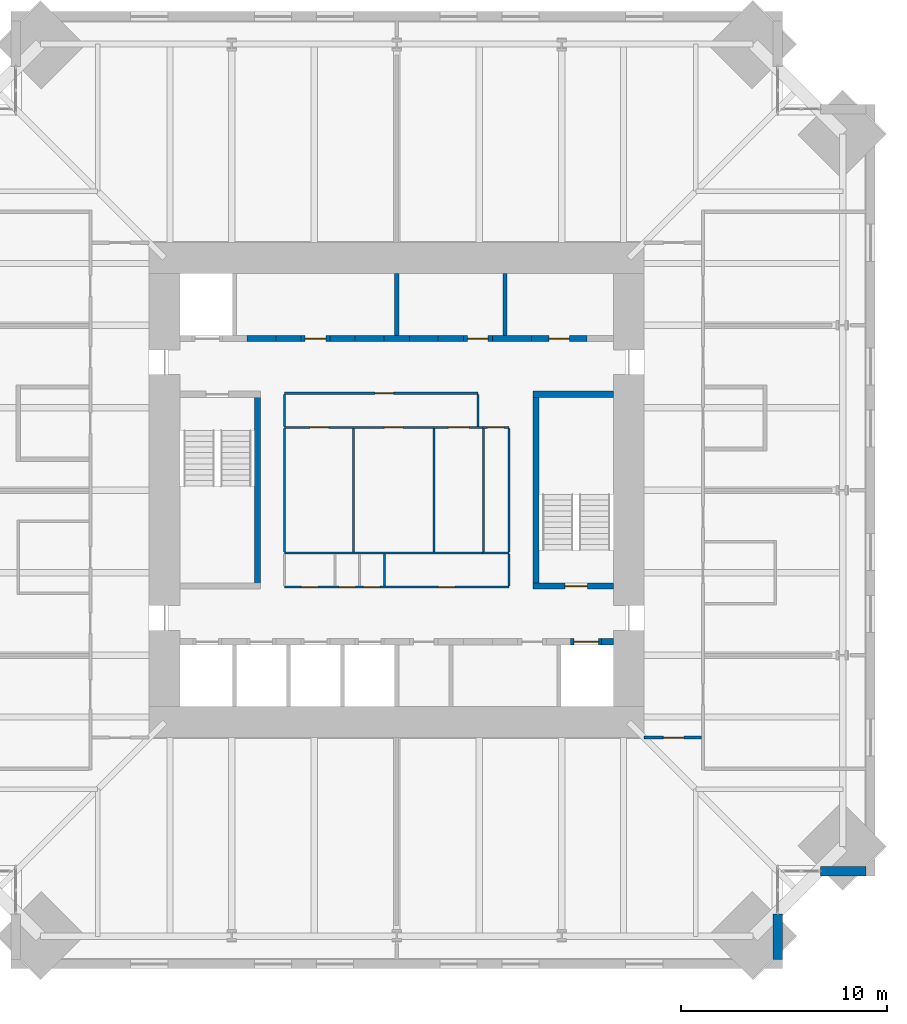
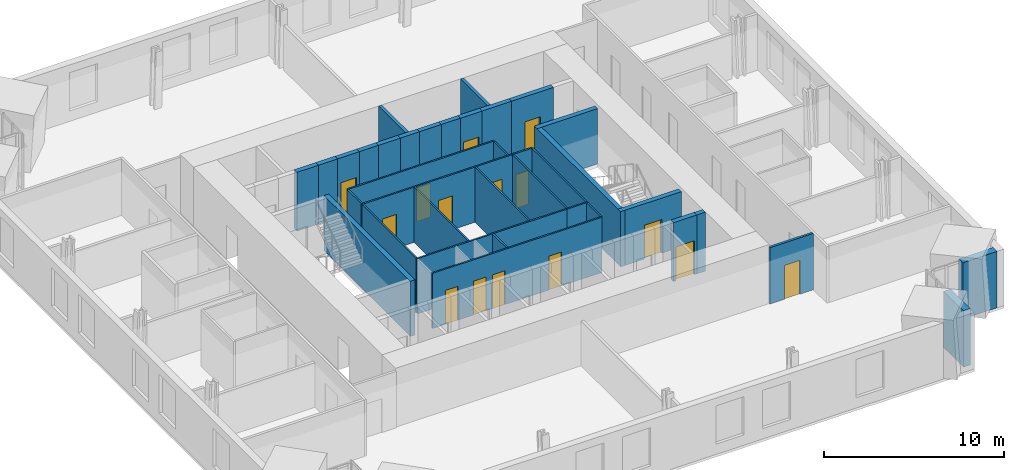
# One storey, part 12 of 15: 37 walls, 15 doors, 15 openings.
"""IFC4 building model written with IfcOpenShell, lengths in metres."""

from ifc_helpers import new_model, si_unit, direction, frame, frame_2d, origin, place, context, subcontext, project, spatial, rectangle, extrude, material, layer, layer_set, type_object, element, fill, save


model = new_model("IFC4")

# Units and contexts
model_context = context("Model", 3, precision=1e-05, world=origin(), true_north=direction((0.0, 1.0)))
body_context = subcontext(model_context, "Body", "Model", "MODEL_VIEW")
ifc_project = project(units=[si_unit("LENGTHUNIT", "METRE"), si_unit("AREAUNIT", "SQUARE_METRE"), si_unit("VOLUMEUNIT", "CUBIC_METRE"), si_unit("PLANEANGLEUNIT", "RADIAN"), si_unit("MASSUNIT", "GRAM", prefix="KILO")], contexts=[model_context])

# Site, building, storey
site_placement = place(None, origin())
site = spatial("IfcSite", under=ifc_project, at=site_placement, CompositionType="ELEMENT")
building_placement = place(site_placement, origin())
building = spatial("IfcBuilding", under=site, at=building_placement, Name="Peilmerk Tower", CompositionType="ELEMENT")
storey_placement = place(building_placement, frame((0.0, 0.0, 229.800048828125)))
storey = spatial("IfcBuildingStorey", under=building, at=storey_placement, Name="L50", CompositionType="ELEMENT", Elevation=229.800048828125)

# Walls
ifc_material_1 = material(Name="Precast concrete C45/55, board-marked finish", Category="concrete")
ifc_layer_1 = layer(ifc_material_1, 0.449951171875)
ifc_layer_set_1 = layer_set([ifc_layer_1], Name="Precast concrete C45/55, board-marked finish")
wall_type_1 = type_object("IfcWallType", Name="EW1 450 precast concrete facade wall, board-marked", PredefinedType="SOLIDWALL", material=ifc_layer_set_1)
for number, where, z_axis, x_axis, name in (
    (1, (18.47509765625, -20.5537109375, 0.0), (0.0, 0.0, 1.0), (0.0, -1.0, 0.0), "Facade wall SEA L50"),
    (2, (20.5537109375, -18.47509765625, 0.0), (0.0, 0.0, 1.0), (1.0, 0.0, 0.0), "Facade wall SEB L50"),
):
    element("IfcWall", number, at=place(storey_placement, frame(where, z_axis=z_axis, x_axis=x_axis)), inside=storey, type_object=wall_type_1, Name=name, PredefinedType="SOLIDWALL", context=body_context, shape_type="SweptSolid", body=[
        extrude(rectangle(XDim=2.1962890625, YDim=0.449951171875, at=frame_2d((1.09814453125, 0.0))), origin(), (0.0, 0.0, 1.0), 3.829833984375),
    ])

# Wall, opening, door
ifc_material_2 = material(Name="Calcium silicate block", Category="masonry")
ifc_layer_2 = layer(ifc_material_2, 0.14990234375)
ifc_layer_set_2 = layer_set([ifc_layer_2], Name="Calcium silicate block")
wall_type_2 = type_object("IfcWallType", Name="IW1 150 corridor partition, EI 60", PredefinedType="PARTITIONING", material=ifc_layer_set_2)
wall_1_placement = place(storey_placement, frame((14.77490234375, -12.0, 0.0), z_axis=(0.0, 0.0, 1.0), x_axis=(-1.0, 0.0, 0.0)))
wall_1 = element("IfcWall", 3, at=wall_1_placement, inside=storey, type_object=wall_type_2, Name="Corridor wall SE L50", PredefinedType="PARTITIONING", context=body_context, shape_type="SweptSolid", body=[
    extrude(rectangle(XDim=2.77490234375, YDim=0.14990234375, at=frame_2d((1.387451171875, 0.0))), origin(), (0.0, 0.0, 1.0), 3.829833984375),
])
opening_1_placement = place(wall_1_placement, frame((0.85009765625, 0.0, 0.0)))
opening_1 = element("IfcOpeningElement", 4, at=opening_1_placement, cuts=wall_1, Name="Opening D1", PredefinedType="OPENING", context=body_context, shape_type="SweptSolid", body=[
    extrude(rectangle(XDim=1.0, YDim=2.300048828125, at=frame_2d((0.5, 1.14990234375))), frame((0.0, 0.0849609375, 0.0), z_axis=(0.0, -1.0, 0.0), x_axis=(1.0, 0.0, 0.0)), (0.0, 0.0, 1.0), 0.169921875),
])
ifc_material_3 = material(Name="Timber door in steel frame", Category="steel")
door_type_1 = type_object("IfcDoorType", Name="D1 1000x2300 room door, EI2 30", OperationType="SINGLE_SWING_LEFT", PredefinedType="DOOR", material=ifc_material_3)
door_1_placement = place(opening_1_placement, origin())
door_1 = element("IfcDoor", 5, at=door_1_placement, inside=storey, type_object=door_type_1, Name="Door Office L50", OperationType="SINGLE_SWING_LEFT", OverallHeight=2.300048828125, OverallWidth=1.0, PredefinedType="DOOR", context=body_context, shape_type="SweptSolid", body=[
    extrude(rectangle(XDim=1.0, YDim=2.300048828125, at=frame_2d((0.5, 1.14990234375))), frame((0.0, 0.02490234375, 0.0), z_axis=(0.0, -1.0, 0.0), x_axis=(1.0, 0.0, 0.0)), (0.0, 0.0, 1.0), 0.050048828125),
])
fill(opening_1, door_1)

# Walls
ifc_material_4 = material(Name="Concrete C35/45", Category="concrete")
ifc_layer_3 = layer(ifc_material_4, 0.300048828125)
ifc_layer_set_3 = layer_set([ifc_layer_3], Name="Concrete C35/45")
wall_type_3 = type_object("IfcWallType", Name="IW3 300 concrete stair enclosure wall, EI 120", PredefinedType="SOLIDWALL", material=ifc_layer_set_3)
for number, where, z_axis, x_axis, name in (
    (6, (-6.75, -4.800048828125, 0.0), (0.0, 0.0, 1.0), (0.0, 1.0, 0.0), "Stair 1 enclosure L50"),
    (7, (6.75, -4.800048828125, 0.0), (0.0, 0.0, 1.0), (0.0, 1.0, 0.0), "Stair 2 enclosure L50"),
):
    element("IfcWall", number, at=place(storey_placement, frame(where, z_axis=z_axis, x_axis=x_axis)), inside=storey, type_object=wall_type_3, Name=name, PredefinedType="SOLIDWALL", context=body_context, shape_type="SweptSolid", body=[
        extrude(rectangle(XDim=9.60009765625, YDim=0.300048828125, at=frame_2d((4.800048828125, 0.0))), origin(), (0.0, 0.0, 1.0), 3.75),
    ])
wall_2_placement = place(storey_placement, frame((6.60009765625, 4.64990234375, 0.0), z_axis=(0.0, 0.0, 1.0), x_axis=(1.0, 0.0, 0.0)))
element("IfcWall", 8, at=wall_2_placement, inside=storey, type_object=wall_type_3, Name="Stair 2 enclosure L50", PredefinedType="SOLIDWALL", context=body_context, shape_type="SweptSolid", body=[
    extrude(rectangle(XDim=3.89990234375, YDim=0.300048828125, at=frame_2d((1.949951171875, 0.0))), origin(), (0.0, 0.0, 1.0), 3.75),
])

# Wall, opening, door
wall_3_placement = place(storey_placement, frame((10.5, -4.64990234375, 0.0), z_axis=(0.0, 0.0, 1.0), x_axis=(-1.0, 0.0, 0.0)))
wall_3 = element("IfcWall", 9, at=wall_3_placement, inside=storey, type_object=wall_type_3, Name="Stair 2 enclosure L50", PredefinedType="SOLIDWALL", context=body_context, shape_type="SweptSolid", body=[
    extrude(rectangle(XDim=3.89990234375, YDim=0.300048828125, at=frame_2d((1.949951171875, 0.0))), origin(), (0.0, 0.0, 1.0), 3.75),
])
opening_2_placement = place(wall_3_placement, frame((1.25, 0.0, 0.0)))
opening_2 = element("IfcOpeningElement", 10, at=opening_2_placement, cuts=wall_3, Name="Opening D4", PredefinedType="OPENING", context=body_context, shape_type="SweptSolid", body=[
    extrude(rectangle(XDim=1.10009765625, YDim=2.300048828125, at=frame_2d((0.550048828125, 1.14990234375))), frame((0.0, 0.159912109375, 0.0), z_axis=(0.0, -1.0, 0.0), x_axis=(1.0, 0.0, 0.0)), (0.0, 0.0, 1.0), 0.320068359375),
])
ifc_material_5 = material(Name="Steel door in steel frame", Category="steel")
door_type_2 = type_object("IfcDoorType", Name="D4 1100x2300 stair door, EI2 60", OperationType="SINGLE_SWING_RIGHT", PredefinedType="DOOR", material=ifc_material_5)
door_2_placement = place(opening_2_placement, frame((1.10009765625, 0.0, 0.0), z_axis=(0.0, 0.0, 1.0), x_axis=(-1.0, 0.0, 0.0)))
door_2 = element("IfcDoor", 11, at=door_2_placement, inside=storey, type_object=door_type_2, Name="Stair 2 door L50", OperationType="SINGLE_SWING_RIGHT", OverallHeight=2.300048828125, OverallWidth=1.10009765625, PredefinedType="DOOR", context=body_context, shape_type="SweptSolid", body=[
    extrude(rectangle(XDim=1.10009765625, YDim=2.300048828125, at=frame_2d((0.550048828125, 1.14990234375))), frame((0.0, 0.02490234375, 0.0), z_axis=(0.0, -1.0, 0.0), x_axis=(1.0, 0.0, 0.0)), (0.0, 0.0, 1.0), 0.050048828125),
])
fill(opening_2, door_2)

# Wall, openings, doors
ifc_material_6 = material(Name="Plasterboard on steel studs", Category="steel")
ifc_layer_4 = layer(ifc_material_6, 0.10009765625)
ifc_layer_set_4 = layer_set([ifc_layer_4], Name="Plasterboard on steel studs")
wall_type_4 = type_object("IfcWallType", Name="IW4 100 WC partition", PredefinedType="PARTITIONING", material=ifc_layer_set_4)
wall_4_placement = place(storey_placement, frame((-5.449951171875, 3.050048828125, 0.0), z_axis=(0.0, 0.0, 1.0), x_axis=(1.0, 0.0, 0.0)))
wall_4 = element("IfcWall", 12, at=wall_4_placement, inside=storey, type_object=wall_type_4, Name="WC wall L50", PredefinedType="PARTITIONING", context=body_context, shape_type="SweptSolid", body=[
    extrude(rectangle(XDim=9.599853515625, YDim=0.10009765625, at=frame_2d((4.7998046875, 0.0))), origin(), (0.0, 0.0, 1.0), 3.75),
])
opening_3_placement = place(wall_4_placement, frame((1.25, 0.0, 0.0)))
opening_3 = element("IfcOpeningElement", 13, at=opening_3_placement, cuts=wall_4, Name="Opening D5", PredefinedType="OPENING", context=body_context, shape_type="SweptSolid", body=[
    extrude(rectangle(XDim=0.89990234375, YDim=2.300048828125, at=frame_2d((0.449951171875, 1.14990234375))), frame((0.0, 0.06005859375, 0.0), z_axis=(0.0, -1.0, 0.0), x_axis=(1.0, 0.0, 0.0)), (0.0, 0.0, 1.0), 0.1201171875),
])
opening_4_placement = place(wall_4_placement, frame((4.85009765625, 0.0, 0.0)))
opening_4 = element("IfcOpeningElement", 14, at=opening_4_placement, cuts=wall_4, Name="Opening D5", PredefinedType="OPENING", context=body_context, shape_type="SweptSolid", body=[
    extrude(rectangle(XDim=0.89990234375, YDim=2.300048828125, at=frame_2d((0.449951171875, 1.14990234375))), frame((0.0, 0.06005859375, 0.0), z_axis=(0.0, -1.0, 0.0), x_axis=(1.0, 0.0, 0.0)), (0.0, 0.0, 1.0), 0.1201171875),
])
opening_5_placement = place(wall_4_placement, frame((7.949951171875, 0.0, 0.0)))
opening_5 = element("IfcOpeningElement", 15, at=opening_5_placement, cuts=wall_4, Name="Opening D6", PredefinedType="OPENING", context=body_context, shape_type="SweptSolid", body=[
    extrude(rectangle(XDim=1.0, YDim=2.300048828125, at=frame_2d((0.5, 1.14990234375))), frame((0.0, 0.06005859375, 0.0), z_axis=(0.0, -1.0, 0.0), x_axis=(1.0, 0.0, 0.0)), (0.0, 0.0, 1.0), 0.1201171875),
])
door_type_3 = type_object("IfcDoorType", Name="D5 900x2300 WC door", OperationType="SINGLE_SWING_LEFT", PredefinedType="DOOR", material=ifc_material_3)
door_3_placement = place(opening_3_placement, frame((0.89990234375, 0.0, 0.0), z_axis=(0.0, 0.0, 1.0), x_axis=(-1.0, 0.0, 0.0)))
door_3 = element("IfcDoor", 16, at=door_3_placement, inside=storey, type_object=door_type_3, Name="Female toilets door L50", OperationType="SINGLE_SWING_LEFT", OverallHeight=2.300048828125, OverallWidth=0.89990234375, PredefinedType="DOOR", context=body_context, shape_type="SweptSolid", body=[
    extrude(rectangle(XDim=0.89990234375, YDim=2.300048828125, at=frame_2d((0.449951171875, 1.14990234375))), frame((0.0, 0.02490234375, 0.0), z_axis=(0.0, -1.0, 0.0), x_axis=(1.0, 0.0, 0.0)), (0.0, 0.0, 1.0), 0.050048828125),
])
fill(opening_3, door_3)
door_4_placement = place(opening_4_placement, frame((0.89990234375, 0.0, 0.0), z_axis=(0.0, 0.0, 1.0), x_axis=(-1.0, 0.0, 0.0)))
door_4 = element("IfcDoor", 17, at=door_4_placement, inside=storey, type_object=door_type_3, Name="Male toilets door L50", OperationType="SINGLE_SWING_LEFT", OverallHeight=2.300048828125, OverallWidth=0.89990234375, PredefinedType="DOOR", context=body_context, shape_type="SweptSolid", body=[
    extrude(rectangle(XDim=0.89990234375, YDim=2.300048828125, at=frame_2d((0.449951171875, 1.14990234375))), frame((0.0, 0.02490234375, 0.0), z_axis=(0.0, -1.0, 0.0), x_axis=(1.0, 0.0, 0.0)), (0.0, 0.0, 1.0), 0.050048828125),
])
fill(opening_4, door_4)
door_type_4 = type_object("IfcDoorType", Name="D6 1000x2300 accessible WC door", OperationType="SLIDING_TO_LEFT", PredefinedType="DOOR", material=ifc_material_3)
door_5_placement = place(opening_5_placement, frame((1.0, 0.0, 0.0), z_axis=(0.0, 0.0, 1.0), x_axis=(-1.0, 0.0, 0.0)))
door_5 = element("IfcDoor", 18, at=door_5_placement, inside=storey, type_object=door_type_4, Name="Accessible WC door L50", OperationType="SLIDING_TO_LEFT", OverallHeight=2.300048828125, OverallWidth=1.0, PredefinedType="DOOR", context=body_context, shape_type="SweptSolid", body=[
    extrude(rectangle(XDim=1.0, YDim=2.300048828125, at=frame_2d((0.5, 1.14990234375))), frame((0.0, 0.02490234375, 0.0), z_axis=(0.0, -1.0, 0.0), x_axis=(1.0, 0.0, 0.0)), (0.0, 0.0, 1.0), 0.050048828125),
])
fill(opening_5, door_5)

# Walls
wall_5_placement = place(storey_placement, frame((4.14990234375, -3.050048828125, 0.0), z_axis=(0.0, 0.0, 1.0), x_axis=(-1.0, 0.0, 0.0)))
element("IfcWall", 19, at=wall_5_placement, inside=storey, type_object=wall_type_4, Name="WC wall L50", PredefinedType="PARTITIONING", context=body_context, shape_type="SweptSolid", body=[
    extrude(rectangle(XDim=9.599853515625, YDim=0.10009765625, at=frame_2d((4.7998046875, 0.0))), origin(), (0.0, 0.0, 1.0), 3.75),
])
for number, where, z_axis, x_axis, name in (
    (20, (-5.449951171875, -3.0, 0.0), (0.0, 0.0, 1.0), (0.0, 1.0, 0.0), "WC wall L50"),
    (21, (-2.10009765625, -3.0, 0.0), (0.0, 0.0, 1.0), (0.0, 1.0, 0.0), "WC wall L50"),
    (22, (1.800048828125, -3.0, 0.0), (0.0, 0.0, 1.0), (0.0, 1.0, 0.0), "WC wall L50"),
):
    element("IfcWall", number, at=place(storey_placement, frame(where, z_axis=z_axis, x_axis=x_axis)), inside=storey, type_object=wall_type_4, Name=name, PredefinedType="PARTITIONING", context=body_context, shape_type="SweptSolid", body=[
        extrude(rectangle(XDim=6.0, YDim=0.10009765625, at=frame_2d((3.0, 0.0))), origin(), (0.0, 0.0, 1.0), 3.75),
    ])

# Wall, opening, door
ifc_material_7 = material(Name="Calcium silicate board on steel studs", Category="steel")
ifc_layer_5 = layer(ifc_material_7, 0.10009765625)
ifc_layer_set_5 = layer_set([ifc_layer_5], Name="Calcium silicate board on steel studs")
wall_type_5 = type_object("IfcWallType", Name="IW5 100 riser enclosure wall, EI 60", PredefinedType="PARTITIONING", material=ifc_layer_set_5)
wall_6_placement = place(storey_placement, frame((4.14990234375, 3.050048828125, 0.0), z_axis=(0.0, 0.0, 1.0), x_axis=(1.0, 0.0, 0.0)))
wall_6 = element("IfcWall", 23, at=wall_6_placement, inside=storey, type_object=wall_type_5, Name="Riser wall L50", PredefinedType="PARTITIONING", context=body_context, shape_type="SweptSolid", body=[
    extrude(rectangle(XDim=1.300048828125, YDim=0.10009765625, at=frame_2d((0.64990234375, 0.0))), origin(), (0.0, 0.0, 1.0), 3.75),
])
opening_6_placement = place(wall_6_placement, frame((0.25, 0.0, 0.0)))
opening_6 = element("IfcOpeningElement", 24, at=opening_6_placement, cuts=wall_6, Name="Opening D7", PredefinedType="OPENING", context=body_context, shape_type="SweptSolid", body=[
    extrude(rectangle(XDim=0.800048828125, YDim=2.300048828125, at=frame_2d((0.39990234375, 1.14990234375))), frame((0.0, 0.06005859375, 0.0), z_axis=(0.0, -1.0, 0.0), x_axis=(1.0, 0.0, 0.0)), (0.0, 0.0, 1.0), 0.1201171875),
])
door_type_5 = type_object("IfcDoorType", Name="D7 800x2300 riser access door, EI2 60", OperationType="SINGLE_SWING_RIGHT", PredefinedType="DOOR", material=ifc_material_5)
door_6_placement = place(opening_6_placement, frame((0.800048828125, 0.0, 0.0), z_axis=(0.0, 0.0, 1.0), x_axis=(-1.0, 0.0, 0.0)))
door_6 = element("IfcDoor", 25, at=door_6_placement, inside=storey, type_object=door_type_5, Name="Plumbing riser door L50", OperationType="SINGLE_SWING_RIGHT", OverallHeight=2.300048828125, OverallWidth=0.800048828125, PredefinedType="DOOR", context=body_context, shape_type="SweptSolid", body=[
    extrude(rectangle(XDim=0.800048828125, YDim=2.300048828125, at=frame_2d((0.39990234375, 1.14990234375))), frame((0.0, 0.02490234375, 0.0), z_axis=(0.0, -1.0, 0.0), x_axis=(1.0, 0.0, 0.0)), (0.0, 0.0, 1.0), 0.050048828125),
])
fill(opening_6, door_6)

# Walls
wall_7_placement = place(storey_placement, frame((5.449951171875, -3.050048828125, 0.0), z_axis=(0.0, 0.0, 1.0), x_axis=(-1.0, 0.0, 0.0)))
element("IfcWall", 26, at=wall_7_placement, inside=storey, type_object=wall_type_5, Name="Riser wall L50", PredefinedType="PARTITIONING", context=body_context, shape_type="SweptSolid", body=[
    extrude(rectangle(XDim=1.300048828125, YDim=0.10009765625, at=frame_2d((0.64990234375, 0.0))), origin(), (0.0, 0.0, 1.0), 3.75),
])
for number, where, z_axis, x_axis, name in (
    (27, (5.449951171875, 3.0, 0.0), (0.0, 0.0, 1.0), (0.0, -1.0, 0.0), "Riser wall L50"),
    (28, (4.199951171875, -3.0, 0.0), (0.0, 0.0, 1.0), (0.0, 1.0, 0.0), "Riser wall L50"),
):
    element("IfcWall", number, at=place(storey_placement, frame(where, z_axis=z_axis, x_axis=x_axis)), inside=storey, type_object=wall_type_5, Name=name, PredefinedType="PARTITIONING", context=body_context, shape_type="SweptSolid", body=[
        extrude(rectangle(XDim=6.0, YDim=0.10009765625, at=frame_2d((3.0, 0.0))), origin(), (0.0, 0.0, 1.0), 3.75),
    ])

# Wall, openings, doors
wall_8_placement = place(storey_placement, frame((5.449951171875, -4.699951171875, 0.0), z_axis=(0.0, 0.0, 1.0), x_axis=(-1.0, 0.0, 0.0)))
wall_8 = element("IfcWall", 29, at=wall_8_placement, inside=storey, type_object=wall_type_5, Name="Riser wall L50", PredefinedType="PARTITIONING", context=body_context, shape_type="SweptSolid", body=[
    extrude(rectangle(XDim=10.89990234375, YDim=0.10009765625, at=frame_2d((5.449951171875, 0.0))), origin(), (0.0, 0.0, 1.0), 3.75),
])
opening_7_placement = place(wall_8_placement, frame((9.27490234375, 0.0, 0.0)))
opening_7 = element("IfcOpeningElement", 30, at=opening_7_placement, cuts=wall_8, Name="Opening D7", PredefinedType="OPENING", context=body_context, shape_type="SweptSolid", body=[
    extrude(rectangle(XDim=0.800048828125, YDim=2.300048828125, at=frame_2d((0.39990234375, 1.14990234375))), frame((0.0, 0.06005859375, 0.0), z_axis=(0.0, -1.0, 0.0), x_axis=(1.0, 0.0, 0.0)), (0.0, 0.0, 1.0), 0.1201171875),
])
opening_8_placement = place(wall_8_placement, frame((7.449951171875, 0.0, 0.0)))
opening_8 = element("IfcOpeningElement", 31, at=opening_8_placement, cuts=wall_8, Name="Opening D7", PredefinedType="OPENING", context=body_context, shape_type="SweptSolid", body=[
    extrude(rectangle(XDim=0.800048828125, YDim=2.300048828125, at=frame_2d((0.39990234375, 1.14990234375))), frame((0.0, 0.06005859375, 0.0), z_axis=(0.0, -1.0, 0.0), x_axis=(1.0, 0.0, 0.0)), (0.0, 0.0, 1.0), 0.1201171875),
])
opening_9_placement = place(wall_8_placement, frame((6.25, 0.0, 0.0)))
opening_9 = element("IfcOpeningElement", 32, at=opening_9_placement, cuts=wall_8, Name="Opening D7", PredefinedType="OPENING", context=body_context, shape_type="SweptSolid", body=[
    extrude(rectangle(XDim=0.800048828125, YDim=2.300048828125, at=frame_2d((0.39990234375, 1.14990234375))), frame((0.0, 0.06005859375, 0.0), z_axis=(0.0, -1.0, 0.0), x_axis=(1.0, 0.0, 0.0)), (0.0, 0.0, 1.0), 0.1201171875),
])
opening_10_placement = place(wall_8_placement, frame((2.625, 0.0, 0.0)))
opening_10 = element("IfcOpeningElement", 33, at=opening_10_placement, cuts=wall_8, Name="Opening D7", PredefinedType="OPENING", context=body_context, shape_type="SweptSolid", body=[
    extrude(rectangle(XDim=0.800048828125, YDim=2.300048828125, at=frame_2d((0.39990234375, 1.14990234375))), frame((0.0, 0.06005859375, 0.0), z_axis=(0.0, -1.0, 0.0), x_axis=(1.0, 0.0, 0.0)), (0.0, 0.0, 1.0), 0.1201171875),
])
door_7_placement = place(opening_7_placement, frame((0.800048828125, 0.0, 0.0), z_axis=(0.0, 0.0, 1.0), x_axis=(-1.0, 0.0, 0.0)))
door_7 = element("IfcDoor", 34, at=door_7_placement, inside=storey, type_object=door_type_5, Name="Cleaner's cupboard door L50", OperationType="SINGLE_SWING_RIGHT", OverallHeight=2.300048828125, OverallWidth=0.800048828125, PredefinedType="DOOR", context=body_context, shape_type="SweptSolid", body=[
    extrude(rectangle(XDim=0.800048828125, YDim=2.300048828125, at=frame_2d((0.39990234375, 1.14990234375))), frame((0.0, 0.02490234375, 0.0), z_axis=(0.0, -1.0, 0.0), x_axis=(1.0, 0.0, 0.0)), (0.0, 0.0, 1.0), 0.050048828125),
])
fill(opening_7, door_7)
door_8_placement = place(opening_8_placement, frame((0.800048828125, 0.0, 0.0), z_axis=(0.0, 0.0, 1.0), x_axis=(-1.0, 0.0, 0.0)))
door_8 = element("IfcDoor", 35, at=door_8_placement, inside=storey, type_object=door_type_5, Name="Electrical riser door L50", OperationType="SINGLE_SWING_RIGHT", OverallHeight=2.300048828125, OverallWidth=0.800048828125, PredefinedType="DOOR", context=body_context, shape_type="SweptSolid", body=[
    extrude(rectangle(XDim=0.800048828125, YDim=2.300048828125, at=frame_2d((0.39990234375, 1.14990234375))), frame((0.0, 0.02490234375, 0.0), z_axis=(0.0, -1.0, 0.0), x_axis=(1.0, 0.0, 0.0)), (0.0, 0.0, 1.0), 0.050048828125),
])
fill(opening_8, door_8)
door_9_placement = place(opening_9_placement, frame((0.800048828125, 0.0, 0.0), z_axis=(0.0, 0.0, 1.0), x_axis=(-1.0, 0.0, 0.0)))
door_9 = element("IfcDoor", 36, at=door_9_placement, inside=storey, type_object=door_type_5, Name="Data riser door L50", OperationType="SINGLE_SWING_RIGHT", OverallHeight=2.300048828125, OverallWidth=0.800048828125, PredefinedType="DOOR", context=body_context, shape_type="SweptSolid", body=[
    extrude(rectangle(XDim=0.800048828125, YDim=2.300048828125, at=frame_2d((0.39990234375, 1.14990234375))), frame((0.0, 0.02490234375, 0.0), z_axis=(0.0, -1.0, 0.0), x_axis=(1.0, 0.0, 0.0)), (0.0, 0.0, 1.0), 0.050048828125),
])
fill(opening_9, door_9)
door_10_placement = place(opening_10_placement, frame((0.800048828125, 0.0, 0.0), z_axis=(0.0, 0.0, 1.0), x_axis=(-1.0, 0.0, 0.0)))
door_10 = element("IfcDoor", 37, at=door_10_placement, inside=storey, type_object=door_type_5, Name="Comms room door L50", OperationType="SINGLE_SWING_RIGHT", OverallHeight=2.300048828125, OverallWidth=0.800048828125, PredefinedType="DOOR", context=body_context, shape_type="SweptSolid", body=[
    extrude(rectangle(XDim=0.800048828125, YDim=2.300048828125, at=frame_2d((0.39990234375, 1.14990234375))), frame((0.0, 0.02490234375, 0.0), z_axis=(0.0, -1.0, 0.0), x_axis=(1.0, 0.0, 0.0)), (0.0, 0.0, 1.0), 0.050048828125),
])
fill(opening_10, door_10)

# Walls
for number, where, z_axis, x_axis, name in (
    (38, (5.449951171875, -3.10009765625, 0.0), (0.0, 0.0, 1.0), (0.0, -1.0, 0.0), "Riser wall L50"),
    (39, (-0.60009765625, -3.10009765625, 0.0), (0.0, 0.0, 1.0), (0.0, -1.0, 0.0), "Riser wall L50"),
):
    element("IfcWall", number, at=place(storey_placement, frame(where, z_axis=z_axis, x_axis=x_axis)), inside=storey, type_object=wall_type_5, Name=name, PredefinedType="PARTITIONING", context=body_context, shape_type="SweptSolid", body=[
        extrude(rectangle(XDim=1.5498046875, YDim=0.10009765625, at=frame_2d((0.77490234375, 0.0))), origin(), (0.0, 0.0, 1.0), 3.75),
    ])

# Wall, opening, door
ifc_material_8 = material(Name="Fire-resisting plasterboard on steel studs", Category="steel")
ifc_layer_6 = layer(ifc_material_8, 0.10009765625)
ifc_layer_set_6 = layer_set([ifc_layer_6], Name="Fire-resisting plasterboard on steel studs")
wall_type_6 = type_object("IfcWallType", Name="IW9 100 WC lobby wall, EI 30", PredefinedType="PARTITIONING", material=ifc_layer_set_6)
wall_9_placement = place(storey_placement, frame((-5.449951171875, 4.699951171875, 0.0), z_axis=(0.0, 0.0, 1.0), x_axis=(1.0, 0.0, 0.0)))
wall_9 = element("IfcWall", 40, at=wall_9_placement, inside=storey, type_object=wall_type_6, Name="WC lobby wall L50", PredefinedType="PARTITIONING", context=body_context, shape_type="SweptSolid", body=[
    extrude(rectangle(XDim=9.39990234375, YDim=0.10009765625, at=frame_2d((4.699951171875, 0.0))), origin(), (0.0, 0.0, 1.0), 3.75),
])
opening_11_placement = place(wall_9_placement, frame((4.39990234375, 0.0, 0.0)))
opening_11 = element("IfcOpeningElement", 41, at=opening_11_placement, cuts=wall_9, Name="Opening D11", PredefinedType="OPENING", context=body_context, shape_type="SweptSolid", body=[
    extrude(rectangle(XDim=0.89990234375, YDim=2.300048828125, at=frame_2d((0.449951171875, 1.14990234375))), frame((0.0, 0.06005859375, 0.0), z_axis=(0.0, -1.0, 0.0), x_axis=(1.0, 0.0, 0.0)), (0.0, 0.0, 1.0), 0.1201171875),
])
door_type_6 = type_object("IfcDoorType", Name="D11 900x2300 WC lobby door, EI2 30", OperationType="SINGLE_SWING_LEFT", PredefinedType="DOOR", material=ifc_material_3)
door_11_placement = place(opening_11_placement, frame((0.89990234375, 0.0, 0.0), z_axis=(0.0, 0.0, 1.0), x_axis=(-1.0, 0.0, 0.0)))
door_11 = element("IfcDoor", 42, at=door_11_placement, inside=storey, type_object=door_type_6, Name="WC lobby door L50", OperationType="SINGLE_SWING_LEFT", OverallHeight=2.300048828125, OverallWidth=0.89990234375, PredefinedType="DOOR", context=body_context, shape_type="SweptSolid", body=[
    extrude(rectangle(XDim=0.89990234375, YDim=2.300048828125, at=frame_2d((0.449951171875, 1.14990234375))), frame((0.0, 0.02490234375, 0.0), z_axis=(0.0, -1.0, 0.0), x_axis=(1.0, 0.0, 0.0)), (0.0, 0.0, 1.0), 0.050048828125),
])
fill(opening_11, door_11)

# Walls
for number, where, z_axis, x_axis, name in (
    (43, (-5.449951171875, 3.10009765625, 0.0), (0.0, 0.0, 1.0), (0.0, 1.0, 0.0), "WC lobby wall L50"),
    (44, (3.949951171875, 3.10009765625, 0.0), (0.0, 0.0, 1.0), (0.0, 1.0, 0.0), "WC lobby wall L50"),
):
    element("IfcWall", number, at=place(storey_placement, frame(where, z_axis=z_axis, x_axis=x_axis)), inside=storey, type_object=wall_type_6, Name=name, PredefinedType="PARTITIONING", context=body_context, shape_type="SweptSolid", body=[
        extrude(rectangle(XDim=1.5498046875, YDim=0.10009765625, at=frame_2d((0.77490234375, 0.0))), origin(), (0.0, 0.0, 1.0), 3.75),
    ])
ifc_layer_7 = layer(ifc_material_2, 0.199951171875)
ifc_layer_set_7 = layer_set([ifc_layer_7], Name="Calcium silicate block")
wall_type_7 = type_object("IfcWallType", Name="SH1 200 shaft dividing wall, EI 120", PredefinedType="PARTITIONING", material=ifc_layer_set_7)
for number, where, z_axis, x_axis, name in (
    (45, (0.0, 7.5, 0.0), (0.0, 0.0, 1.0), (0.0, 1.0, 0.0), "Shaft wall N A3 L50"),
    (46, (5.25, 7.5, 0.0), (0.0, 0.0, 1.0), (0.0, 1.0, 0.0), "Shaft wall N S2 L50"),
):
    element("IfcWall", number, at=place(storey_placement, frame(where, z_axis=z_axis, x_axis=x_axis)), inside=storey, type_object=wall_type_7, Name=name, PredefinedType="PARTITIONING", context=body_context, shape_type="SweptSolid", body=[
        extrude(rectangle(XDim=3.0, YDim=0.199951171875, at=frame_2d((1.5, 0.0))), origin(), (0.0, 0.0, 1.0), 4.0),
    ])
ifc_layer_8 = layer(ifc_material_2, 0.300048828125)
ifc_layer_set_8 = layer_set([ifc_layer_8], Name="Calcium silicate block")
wall_type_8 = type_object("IfcWallType", Name="SH2 300 lift landing door panel, EI 120", PredefinedType="PARTITIONING", material=ifc_layer_set_8)
wall_10_placement = place(storey_placement, frame((-7.262451171875, 7.35009765625, 0.0), z_axis=(0.0, 0.0, 1.0), x_axis=(1.0, 0.0, 0.0)))
element("IfcWall", 47, at=wall_10_placement, inside=storey, type_object=wall_type_8, Name="Lift door panel N A1 L50", PredefinedType="PARTITIONING", context=body_context, shape_type="SweptSolid", body=[
    extrude(rectangle(XDim=1.39990234375, YDim=0.300048828125, at=frame_2d((0.699951171875, 0.0))), origin(), (0.0, 0.0, 1.0), 4.0),
])

# Wall, opening, door
wall_11_placement = place(storey_placement, frame((-4.637451171875, 7.35009765625, 0.0), z_axis=(0.0, 0.0, 1.0), x_axis=(1.0, 0.0, 0.0)))
wall_11 = element("IfcWall", 48, at=wall_11_placement, inside=storey, type_object=wall_type_8, Name="Lift door panel N A2 L50", PredefinedType="PARTITIONING", context=body_context, shape_type="SweptSolid", body=[
    extrude(rectangle(XDim=1.39990234375, YDim=0.300048828125, at=frame_2d((0.699951171875, 0.0))), origin(), (0.0, 0.0, 1.0), 4.0),
])
opening_12_placement = place(wall_11_placement, frame((0.199951171875, 0.0, 0.0)))
opening_12 = element("IfcOpeningElement", 49, at=opening_12_placement, cuts=wall_11, Name="Opening D10", PredefinedType="OPENING", context=body_context, shape_type="SweptSolid", body=[
    extrude(rectangle(XDim=1.0, YDim=2.300048828125, at=frame_2d((0.5, 1.14990234375))), frame((0.0, 0.159912109375, 0.0), z_axis=(0.0, -1.0, 0.0), x_axis=(1.0, 0.0, 0.0)), (0.0, 0.0, 1.0), 0.320068359375),
])
door_type_7 = type_object("IfcDoorType", Name="D10 1000x2300 core room door, EI2 60", OperationType="SINGLE_SWING_RIGHT", PredefinedType="DOOR", material=ifc_material_5)
door_12_placement = place(opening_12_placement, origin())
door_12 = element("IfcDoor", 50, at=door_12_placement, inside=storey, type_object=door_type_7, Name="Door Mail room L50", OperationType="SINGLE_SWING_RIGHT", OverallHeight=2.300048828125, OverallWidth=1.0, PredefinedType="DOOR", context=body_context, shape_type="SweptSolid", body=[
    extrude(rectangle(XDim=1.0, YDim=2.300048828125, at=frame_2d((0.5, 1.14990234375))), frame((0.0, 0.02490234375, 0.0), z_axis=(0.0, -1.0, 0.0), x_axis=(1.0, 0.0, 0.0)), (0.0, 0.0, 1.0), 0.050048828125),
])
fill(opening_12, door_12)

# Walls
for number, where, z_axis, x_axis, name in (
    (51, (-2.012451171875, 7.35009765625, 0.0), (0.0, 0.0, 1.0), (1.0, 0.0, 0.0), "Lift door panel N A3 L50"),
    (52, (0.612548828125, 7.35009765625, 0.0), (0.0, 0.0, 1.0), (1.0, 0.0, 0.0), "Lift door panel N S1 L50"),
):
    element("IfcWall", number, at=place(storey_placement, frame(where, z_axis=z_axis, x_axis=x_axis)), inside=storey, type_object=wall_type_8, Name=name, PredefinedType="PARTITIONING", context=body_context, shape_type="SweptSolid", body=[
        extrude(rectangle(XDim=1.39990234375, YDim=0.300048828125, at=frame_2d((0.699951171875, 0.0))), origin(), (0.0, 0.0, 1.0), 4.0),
    ])

# Wall, opening, door
wall_12_placement = place(storey_placement, frame((3.237548828125, 7.35009765625, 0.0), z_axis=(0.0, 0.0, 1.0), x_axis=(1.0, 0.0, 0.0)))
wall_12 = element("IfcWall", 53, at=wall_12_placement, inside=storey, type_object=wall_type_8, Name="Lift door panel N S2 L50", PredefinedType="PARTITIONING", context=body_context, shape_type="SweptSolid", body=[
    extrude(rectangle(XDim=1.39990234375, YDim=0.300048828125, at=frame_2d((0.699951171875, 0.0))), origin(), (0.0, 0.0, 1.0), 4.0),
])
opening_13_placement = place(wall_12_placement, frame((0.199951171875, 0.0, 0.0)))
opening_13 = element("IfcOpeningElement", 54, at=opening_13_placement, cuts=wall_12, Name="Opening D10", PredefinedType="OPENING", context=body_context, shape_type="SweptSolid", body=[
    extrude(rectangle(XDim=1.0, YDim=2.300048828125, at=frame_2d((0.5, 1.14990234375))), frame((0.0, 0.159912109375, 0.0), z_axis=(0.0, -1.0, 0.0), x_axis=(1.0, 0.0, 0.0)), (0.0, 0.0, 1.0), 0.320068359375),
])
door_13_placement = place(opening_13_placement, origin())
door_13 = element("IfcDoor", 55, at=door_13_placement, inside=storey, type_object=door_type_7, Name="Door Staff room L50", OperationType="SINGLE_SWING_RIGHT", OverallHeight=2.300048828125, OverallWidth=1.0, PredefinedType="DOOR", context=body_context, shape_type="SweptSolid", body=[
    extrude(rectangle(XDim=1.0, YDim=2.300048828125, at=frame_2d((0.5, 1.14990234375))), frame((0.0, 0.02490234375, 0.0), z_axis=(0.0, -1.0, 0.0), x_axis=(1.0, 0.0, 0.0)), (0.0, 0.0, 1.0), 0.050048828125),
])
fill(opening_13, door_13)

wall_13_placement = place(storey_placement, frame((6.52490234375, 7.35009765625, 0.0), z_axis=(0.0, 0.0, 1.0), x_axis=(1.0, 0.0, 0.0)))
wall_13 = element("IfcWall", 56, at=wall_13_placement, inside=storey, type_object=wall_type_8, Name="Lift door panel N GL1 L50", PredefinedType="PARTITIONING", context=body_context, shape_type="SweptSolid", body=[
    extrude(rectangle(XDim=2.7001953125, YDim=0.300048828125, at=frame_2d((1.35009765625, 0.0))), origin(), (0.0, 0.0, 1.0), 4.0),
])
opening_14_placement = place(wall_13_placement, frame((0.85009765625, 0.0, 0.0)))
opening_14 = element("IfcOpeningElement", 57, at=opening_14_placement, cuts=wall_13, Name="Opening D10", PredefinedType="OPENING", context=body_context, shape_type="SweptSolid", body=[
    extrude(rectangle(XDim=1.0, YDim=2.300048828125, at=frame_2d((0.5, 1.14990234375))), frame((0.0, 0.159912109375, 0.0), z_axis=(0.0, -1.0, 0.0), x_axis=(1.0, 0.0, 0.0)), (0.0, 0.0, 1.0), 0.320068359375),
])
door_14_placement = place(opening_14_placement, origin())
door_14 = element("IfcDoor", 58, at=door_14_placement, inside=storey, type_object=door_type_7, Name="Door Staff WC L50", OperationType="SINGLE_SWING_RIGHT", OverallHeight=2.300048828125, OverallWidth=1.0, PredefinedType="DOOR", context=body_context, shape_type="SweptSolid", body=[
    extrude(rectangle(XDim=1.0, YDim=2.300048828125, at=frame_2d((0.5, 1.14990234375))), frame((0.0, 0.02490234375, 0.0), z_axis=(0.0, -1.0, 0.0), x_axis=(1.0, 0.0, 0.0)), (0.0, 0.0, 1.0), 0.050048828125),
])
fill(opening_14, door_14)

wall_14_placement = place(storey_placement, frame((8.4375, -7.35009765625, 0.0), z_axis=(0.0, 0.0, 1.0), x_axis=(1.0, 0.0, 0.0)))
wall_14 = element("IfcWall", 59, at=wall_14_placement, inside=storey, type_object=wall_type_8, Name="Lift door panel S FL2 L50", PredefinedType="PARTITIONING", context=body_context, shape_type="SweptSolid", body=[
    extrude(rectangle(XDim=1.5, YDim=0.300048828125, at=frame_2d((0.75, 0.0))), origin(), (0.0, 0.0, 1.0), 4.0),
])
opening_15_placement = place(wall_14_placement, frame((0.14990234375, 0.0, 0.0)))
opening_15 = element("IfcOpeningElement", 60, at=opening_15_placement, cuts=wall_14, Name="Opening LD2", PredefinedType="OPENING", context=body_context, shape_type="SweptSolid", body=[
    extrude(rectangle(XDim=1.199951171875, YDim=2.300048828125, at=frame_2d((0.60009765625, 1.14990234375))), frame((0.0, 0.159912109375, 0.0), z_axis=(0.0, -1.0, 0.0), x_axis=(1.0, 0.0, 0.0)), (0.0, 0.0, 1.0), 0.320068359375),
])
ifc_material_9 = material(Name="Stainless steel landing door", Category="steel")
door_type_8 = type_object("IfcDoorType", Name="LD2 1200x2300 lift landing door, sliding, EI2 60", OperationType="SLIDING_TO_LEFT", PredefinedType="DOOR", material=ifc_material_9)
door_15_placement = place(opening_15_placement, origin())
door_15 = element("IfcDoor", 61, at=door_15_placement, inside=storey, type_object=door_type_8, Name="Lift landing door FL2 L50", OperationType="SLIDING_TO_LEFT", OverallHeight=2.300048828125, OverallWidth=1.199951171875, PredefinedType="DOOR", context=body_context, shape_type="SweptSolid", body=[
    extrude(rectangle(XDim=1.199951171875, YDim=2.300048828125, at=frame_2d((0.60009765625, 1.14990234375))), frame((0.0, 0.02490234375, 0.0), z_axis=(0.0, -1.0, 0.0), x_axis=(1.0, 0.0, 0.0)), (0.0, 0.0, 1.0), 0.050048828125),
])
fill(opening_15, door_15)

# Walls
ifc_material_10 = material(Name="Concrete C55/67", Category="concrete")
ifc_layer_9 = layer(ifc_material_10, 0.300048828125)
ifc_layer_set_9 = layer_set([ifc_layer_9], Name="Concrete C55/67")
wall_type_9 = type_object("IfcWallType", Name="SW2 300 lift bank pier", PredefinedType="SHEAR", material=ifc_layer_set_9)
for number, where, z_axis, x_axis, name in (
    (62, (-5.862548828125, 7.35009765625, 0.0), (0.0, 0.0, 1.0), (1.0, 0.0, 0.0), "Lift bank pier N L50"),
    (63, (-3.237548828125, 7.35009765625, 0.0), (0.0, 0.0, 1.0), (1.0, 0.0, 0.0), "Lift bank pier N L50"),
    (64, (-0.612548828125, 7.35009765625, 0.0), (0.0, 0.0, 1.0), (1.0, 0.0, 0.0), "Lift bank pier N L50"),
    (65, (2.012451171875, 7.35009765625, 0.0), (0.0, 0.0, 1.0), (1.0, 0.0, 0.0), "Lift bank pier N L50"),
):
    element("IfcWall", number, at=place(storey_placement, frame(where, z_axis=z_axis, x_axis=x_axis)), inside=storey, type_object=wall_type_9, Name=name, PredefinedType="SHEAR", context=body_context, shape_type="SweptSolid", body=[
        extrude(rectangle(XDim=1.22509765625, YDim=0.300048828125, at=frame_2d((0.612548828125, 0.0))), origin(), (0.0, 0.0, 1.0), 4.0),
    ])
wall_15_placement = place(storey_placement, frame((4.637451171875, 7.35009765625, 0.0), z_axis=(0.0, 0.0, 1.0), x_axis=(1.0, 0.0, 0.0)))
element("IfcWall", 66, at=wall_15_placement, inside=storey, type_object=wall_type_9, Name="Lift bank pier N L50", PredefinedType="SHEAR", context=body_context, shape_type="SweptSolid", body=[
    extrude(rectangle(XDim=1.887451171875, YDim=0.300048828125, at=frame_2d((0.94384765625, 0.0))), origin(), (0.0, 0.0, 1.0), 4.0),
])
wall_16_placement = place(storey_placement, frame((9.9375, -7.35009765625, 0.0), z_axis=(0.0, 0.0, 1.0), x_axis=(1.0, 0.0, 0.0)))
element("IfcWall", 67, at=wall_16_placement, inside=storey, type_object=wall_type_9, Name="Lift bank pier S L50", PredefinedType="SHEAR", context=body_context, shape_type="SweptSolid", body=[
    extrude(rectangle(XDim=0.5625, YDim=0.300048828125, at=frame_2d((0.28125, 0.0))), origin(), (0.0, 0.0, 1.0), 4.0),
])

save(model, "model.ifc")
